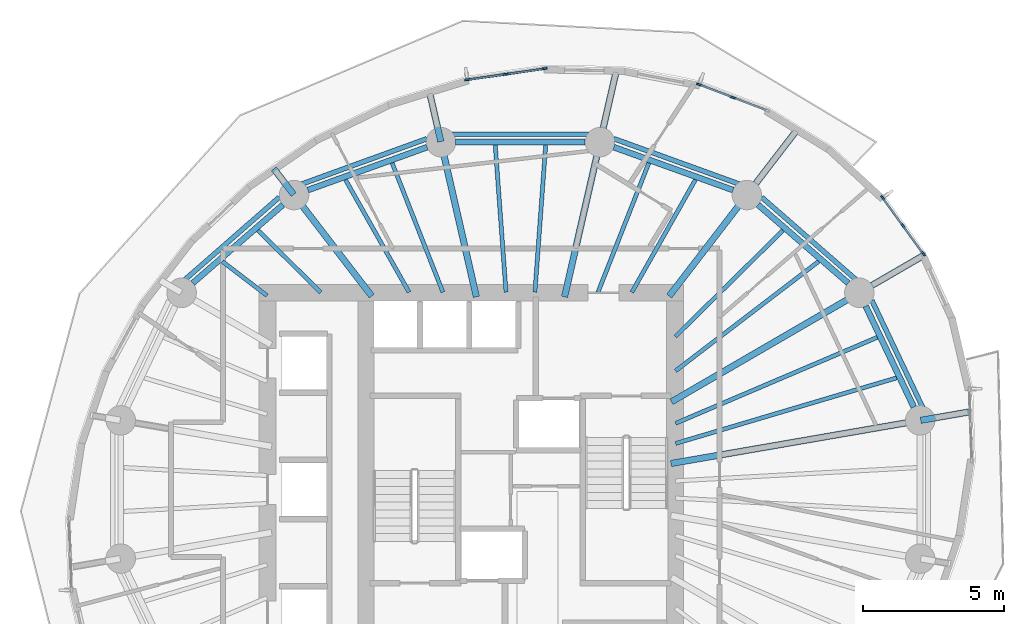
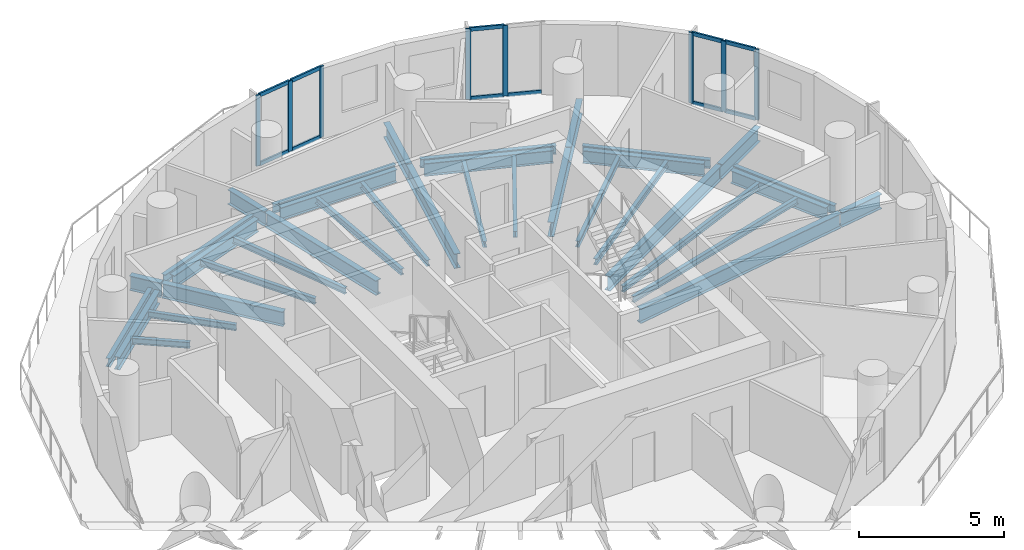
# One storey, part 3 of 14: 36 beams, 19 members, 3 elements without a shape of their own.
"""IFC4 building model written with IfcOpenShell, lengths in metres."""

from ifc_helpers import new_model, si_unit, direction, frame, origin, origin_2d, place, context, subcontext, project, spatial, rectangle, i_section, extrude, material, material_profile, profile_set, type_object, element, aggregate, save


model = new_model("IFC4")

# Units and contexts
model_context = context("Model", 3, precision=1e-05, world=origin(), true_north=direction((0.0, 1.0)))
body_context = subcontext(model_context, "Body", "Model", "MODEL_VIEW")
ifc_project = project(units=[si_unit("LENGTHUNIT", "METRE"), si_unit("AREAUNIT", "SQUARE_METRE"), si_unit("VOLUMEUNIT", "CUBIC_METRE"), si_unit("PLANEANGLEUNIT", "RADIAN"), si_unit("MASSUNIT", "GRAM", prefix="KILO")], contexts=[model_context])

# Site, building, storey
site_placement = place(None, origin())
site = spatial("IfcSite", under=ifc_project, at=site_placement, CompositionType="ELEMENT")
building_placement = place(site_placement, origin())
building = spatial("IfcBuilding", under=site, at=building_placement, Name="Veldorim Arch Residences", CompositionType="ELEMENT")
storey_placement = place(building_placement, frame((0.0, 0.0, 129.760009765625)))
storey = spatial("IfcBuildingStorey", under=building, at=storey_placement, Name="L38", CompositionType="ELEMENT", Elevation=129.760009765625)

# Beams
ifc_material_1 = material(Name="Steel S355", Category="steel")
ifc_material_profile_1 = material_profile(ifc_material_1, i_section(OverallWidth=0.2099609375, OverallDepth=0.53662109375, WebThickness=0.0107421875, FlangeThickness=0.017333984375, at=origin_2d()), Name="UB533x210x101")
ifc_profile_set_1 = profile_set([ifc_material_profile_1], Name="Steel S355")
beam_type_1 = type_object("IfcBeamType", Name="Structural Steel Beam UB533x210x101", PredefinedType="BEAM", material=ifc_profile_set_1)
beam_1_placement = place(storey_placement, frame((45.99560546875, 26.931884765625, -0.50830078125), z_axis=(-0.43028577851, 0.902692721147, 0.0), x_axis=(-0.902692721147, -0.43028577851, 0.0)))
element("IfcBeam", 1, at=beam_1_placement, inside=storey, type_object=beam_type_1, Name="L38 perimeter ring tie beam 01", PredefinedType="BEAM", context=body_context, shape_type="SweptSolid", body=[
    extrude(i_section(OverallWidth=0.2099609375, OverallDepth=0.53662109375, WebThickness=0.0107421875, FlangeThickness=0.017333984375, at=origin_2d()), origin(), (0.0, 0.0, 1.0), 3.98193359375),
])
beam_2_placement = place(storey_placement, frame((43.659912109375, 31.344482421875, -0.50830078125), z_axis=(-0.754810789581, 0.655942582802, 0.0), x_axis=(-0.655942582802, -0.754810789581, 0.0)))
element("IfcBeam", 2, at=beam_2_placement, inside=storey, type_object=beam_type_1, Name="L38 perimeter ring tie beam 02", PredefinedType="BEAM", context=body_context, shape_type="SweptSolid", body=[
    extrude(i_section(OverallWidth=0.2099609375, OverallDepth=0.53662109375, WebThickness=0.0107421875, FlangeThickness=0.017333984375, at=origin_2d()), origin(), (0.0, 0.0, 1.0), 4.249755859375),
])
beam_3_placement = place(storey_placement, frame((39.561767578125, 34.654296875, -0.50830078125), z_axis=(-0.940899155006, 0.338686846673, 0.0), x_axis=(-0.338686846673, -0.940899155006, 0.0)))
element("IfcBeam", 3, at=beam_3_placement, inside=storey, type_object=beam_type_1, Name="L38 perimeter ring tie beam 03", PredefinedType="BEAM", context=body_context, shape_type="SweptSolid", body=[
    extrude(i_section(OverallWidth=0.2099609375, OverallDepth=0.53662109375, WebThickness=0.0107421875, FlangeThickness=0.017333984375, at=origin_2d()), origin(), (0.0, 0.0, 1.0), 4.50537109375),
])
beam_4_placement = place(storey_placement, frame((34.3037109375, 36.35791015625, -0.50830078125), z_axis=(-1.0, 0.0, 0.0), x_axis=(0.0, -1.0, 0.0)))
element("IfcBeam", 4, at=beam_4_placement, inside=storey, type_object=beam_type_1, Name="L38 perimeter ring tie beam 04", PredefinedType="BEAM", context=body_context, shape_type="SweptSolid", body=[
    extrude(i_section(OverallWidth=0.2099609375, OverallDepth=0.53662109375, WebThickness=0.0107421875, FlangeThickness=0.017333984375, at=origin_2d()), origin(), (0.0, 0.0, 1.0), 4.607421875),
])
beam_5_placement = place(storey_placement, frame((28.67724609375, 36.18017578125, -0.50830078125), z_axis=(-0.940899155006, -0.338686846673, 0.0), x_axis=(0.338686846673, -0.940899155006, 0.0)))
element("IfcBeam", 5, at=beam_5_placement, inside=storey, type_object=beam_type_1, Name="L38 perimeter ring tie beam 05", PredefinedType="BEAM", context=body_context, shape_type="SweptSolid", body=[
    extrude(i_section(OverallWidth=0.2099609375, OverallDepth=0.53662109375, WebThickness=0.0107421875, FlangeThickness=0.017333984375, at=origin_2d()), origin(), (0.0, 0.0, 1.0), 4.50537109375),
])
beam_6_placement = place(storey_placement, frame((23.5478515625, 34.132080078125, -0.50830078125), z_axis=(-0.754810789581, -0.655942582802, 0.0), x_axis=(0.655942582802, -0.754810789581, 0.0)))
element("IfcBeam", 6, at=beam_6_placement, inside=storey, type_object=beam_type_1, Name="L38 perimeter ring tie beam 06", PredefinedType="BEAM", context=body_context, shape_type="SweptSolid", body=[
    extrude(i_section(OverallWidth=0.2099609375, OverallDepth=0.53662109375, WebThickness=0.0107421875, FlangeThickness=0.017333984375, at=origin_2d()), origin(), (0.0, 0.0, 1.0), 4.249755859375),
])
ifc_material_2 = material(Name="Steel S355", Category="steel")
ifc_material_profile_2 = material_profile(ifc_material_2, i_section(OverallWidth=0.22900390625, OverallDepth=0.6123046875, WebThickness=0.011962890625, FlangeThickness=0.01953125, at=origin_2d()), Name="UB610x229x125")
ifc_profile_set_2 = profile_set([ifc_material_profile_2], Name="Steel S355")
beam_type_2 = type_object("IfcBeamType", Name="Structural Steel Beam UB610x229x125", PredefinedType="BEAM", material=ifc_profile_set_2)
beam_7_placement = place(storey_placement, frame((37.352294921875, 24.925048828125, -0.546142578125), z_axis=(0.985389398766, 0.170316566427, 0.0), x_axis=(-0.170316566427, 0.985389398766, 0.0)))
element("IfcBeam", 7, at=beam_7_placement, inside=storey, type_object=beam_type_2, Name="L38 radial floor girder 01", PredefinedType="BEAM", context=body_context, shape_type="SweptSolid", body=[
    extrude(i_section(OverallWidth=0.22900390625, OverallDepth=0.6123046875, WebThickness=0.011962890625, FlangeThickness=0.01953125, at=origin_2d()), origin(), (0.0, 0.0, 1.0), 8.98046875),
])
beam_8_placement = place(storey_placement, frame((46.2412109375, 26.46142578125, -0.546142578125), z_axis=(0.985382949726, 0.170353874007, 0.0), x_axis=(-0.170353874007, 0.985382949726, 0.0)))
element("IfcBeam", 8, at=beam_8_placement, inside=storey, type_object=beam_type_2, Name="L38 radial edge cantilever girder 01", PredefinedType="BEAM", context=body_context, shape_type="SweptSolid", body=[
    extrude(i_section(OverallWidth=0.22900390625, OverallDepth=0.6123046875, WebThickness=0.011962890625, FlangeThickness=0.01953125, at=origin_2d()), origin(), (0.0, 0.0, 1.0), 1.774169921875),
])
beam_9_placement = place(storey_placement, frame((37.370361328125, 27.1181640625, -0.546142578125), z_axis=(0.864793381443, 0.502127879542, 0.0), x_axis=(-0.502127879542, 0.864793381443, 0.0)))
element("IfcBeam", 9, at=beam_9_placement, inside=storey, type_object=beam_type_2, Name="L38 radial floor girder 02", PredefinedType="BEAM", context=body_context, shape_type="SweptSolid", body=[
    extrude(i_section(OverallWidth=0.22900390625, OverallDepth=0.6123046875, WebThickness=0.011962890625, FlangeThickness=0.01953125, at=origin_2d()), origin(), (0.0, 0.0, 1.0), 7.71142578125),
])
beam_10_placement = place(storey_placement, frame((44.073486328125, 31.01025390625, -0.546142578125), z_axis=(0.86480840732, 0.502102000223, 0.0), x_axis=(-0.502102000223, 0.86480840732, 0.0)))
element("IfcBeam", 10, at=beam_10_placement, inside=storey, type_object=beam_type_2, Name="L38 radial edge cantilever girder 02", PredefinedType="BEAM", context=body_context, shape_type="SweptSolid", body=[
    extrude(i_section(OverallWidth=0.22900390625, OverallDepth=0.6123046875, WebThickness=0.011962890625, FlangeThickness=0.01953125, at=origin_2d()), origin(), (0.0, 0.0, 1.0), 2.635986328125),
])
beam_11_placement = place(storey_placement, frame((37.291259765625, 30.881103515625, -0.546142578125), z_axis=(0.609559199361, 0.792740551804, 0.0), x_axis=(-0.792740551804, 0.609559199361, 0.0)))
element("IfcBeam", 11, at=beam_11_placement, inside=storey, type_object=beam_type_2, Name="L38 radial floor girder 03", PredefinedType="BEAM", context=body_context, shape_type="SweptSolid", body=[
    extrude(i_section(OverallWidth=0.22900390625, OverallDepth=0.6123046875, WebThickness=0.011962890625, FlangeThickness=0.01953125, at=origin_2d()), origin(), (0.0, 0.0, 1.0), 4.515380859375),
])
beam_12_placement = place(storey_placement, frame((40.068115234375, 34.492431640625, -0.546142578125), z_axis=(0.609529534144, 0.792763361291, 0.0), x_axis=(-0.792763361291, 0.609529534144, 0.0)))
element("IfcBeam", 12, at=beam_12_placement, inside=storey, type_object=beam_type_2, Name="L38 radial edge cantilever girder 03", PredefinedType="BEAM", context=body_context, shape_type="SweptSolid", body=[
    extrude(i_section(OverallWidth=0.22900390625, OverallDepth=0.6123046875, WebThickness=0.011962890625, FlangeThickness=0.01953125, at=origin_2d()), origin(), (0.0, 0.0, 1.0), 2.929931640625),
])
beam_13_placement = place(storey_placement, frame((33.56884765625, 30.853759765625, -0.546142578125), z_axis=(0.223119342184, 0.974791136164, 0.0), x_axis=(-0.974791136164, 0.223119342184, 0.0)))
element("IfcBeam", 13, at=beam_13_placement, inside=storey, type_object=beam_type_2, Name="L38 radial floor girder 04", PredefinedType="BEAM", context=body_context, shape_type="SweptSolid", body=[
    extrude(i_section(OverallWidth=0.22900390625, OverallDepth=0.6123046875, WebThickness=0.011962890625, FlangeThickness=0.01953125, at=origin_2d()), origin(), (0.0, 0.0, 1.0), 5.62646484375),
])
beam_14_placement = place(storey_placement, frame((34.833251953125, 36.37744140625, -0.546142578125), z_axis=(0.223192924024, 0.974774291139, 0.0), x_axis=(-0.974774291139, 0.223192924024, 0.0)))
element("IfcBeam", 14, at=beam_14_placement, inside=storey, type_object=beam_type_2, Name="L38 radial edge cantilever girder 04", PredefinedType="BEAM", context=body_context, shape_type="SweptSolid", body=[
    extrude(i_section(OverallWidth=0.22900390625, OverallDepth=0.6123046875, WebThickness=0.011962890625, FlangeThickness=0.01953125, at=origin_2d()), origin(), (0.0, 0.0, 1.0), 2.611083984375),
])
beam_15_placement = place(storey_placement, frame((30.43115234375, 30.853759765625, -0.546142578125), z_axis=(-0.223119342184, 0.974791136164, 0.0), x_axis=(-0.974791136164, -0.223119342184, 0.0)))
element("IfcBeam", 15, at=beam_15_placement, inside=storey, type_object=beam_type_2, Name="L38 radial floor girder 05", PredefinedType="BEAM", context=body_context, shape_type="SweptSolid", body=[
    extrude(i_section(OverallWidth=0.22900390625, OverallDepth=0.6123046875, WebThickness=0.011962890625, FlangeThickness=0.01953125, at=origin_2d()), origin(), (0.0, 0.0, 1.0), 5.62646484375),
])
beam_16_placement = place(storey_placement, frame((29.166748046875, 36.37744140625, -0.546142578125), z_axis=(-0.223180402263, 0.974777158147, 0.0), x_axis=(-0.974777158147, -0.223180402263, 0.0)))
element("IfcBeam", 16, at=beam_16_placement, inside=storey, type_object=beam_type_2, Name="L38 radial edge cantilever girder 05", PredefinedType="BEAM", context=body_context, shape_type="SweptSolid", body=[
    extrude(i_section(OverallWidth=0.22900390625, OverallDepth=0.6123046875, WebThickness=0.011962890625, FlangeThickness=0.01953125, at=origin_2d()), origin(), (0.0, 0.0, 1.0), 1.826904296875),
])
beam_17_placement = place(storey_placement, frame((26.708740234375, 30.881103515625, -0.546142578125), z_axis=(-0.609559199361, 0.792740551804, 0.0), x_axis=(-0.792740551804, -0.609559199361, 0.0)))
element("IfcBeam", 17, at=beam_17_placement, inside=storey, type_object=beam_type_2, Name="L38 radial floor girder 06", PredefinedType="BEAM", context=body_context, shape_type="SweptSolid", body=[
    extrude(i_section(OverallWidth=0.22900390625, OverallDepth=0.6123046875, WebThickness=0.011962890625, FlangeThickness=0.01953125, at=origin_2d()), origin(), (0.0, 0.0, 1.0), 4.515380859375),
])
beam_18_placement = place(storey_placement, frame((23.931884765625, 34.492431640625, -0.546142578125), z_axis=(-0.609538125584, 0.792756755543, 0.0), x_axis=(-0.792756755543, -0.609538125584, 0.0)))
element("IfcBeam", 18, at=beam_18_placement, inside=storey, type_object=beam_type_2, Name="L38 radial edge cantilever girder 06", PredefinedType="BEAM", context=body_context, shape_type="SweptSolid", body=[
    extrude(i_section(OverallWidth=0.22900390625, OverallDepth=0.6123046875, WebThickness=0.011962890625, FlangeThickness=0.01953125, at=origin_2d()), origin(), (0.0, 0.0, 1.0), 1.161865234375),
])
ifc_material_3 = material(Name="Steel S355", Category="steel")
ifc_material_profile_3 = material_profile(ifc_material_3, i_section(OverallWidth=0.146484375, OverallDepth=0.256103515625, WebThickness=0.00634765625, FlangeThickness=0.010986328125, at=origin_2d()), Name="UB254x146x37")
ifc_profile_set_3 = profile_set([ifc_material_profile_3], Name="Steel S355")
beam_type_3 = type_object("IfcBeamType", Name="Structural Steel Joist UB254x146x37", PredefinedType="JOIST", material=ifc_profile_set_3)
beam_19_placement = place(storey_placement, frame((37.519287109375, 25.63818359375, -0.367919921875), z_axis=(0.958674276305, 0.284505943614, 0.0), x_axis=(-0.284505943614, 0.958674276305, 0.0)))
element("IfcBeam", 19, at=beam_19_placement, inside=storey, type_object=beam_type_3, Name="L38 secondary radial floor joist 01-1", PredefinedType="JOIST", context=body_context, shape_type="SweptSolid", body=[
    extrude(i_section(OverallWidth=0.146484375, OverallDepth=0.256103515625, WebThickness=0.00634765625, FlangeThickness=0.010986328125, at=origin_2d()), origin(), (0.0, 0.0, 1.0), 8.2001953125),
])
beam_20_placement = place(storey_placement, frame((37.518310546875, 26.353515625, -0.367919921875), z_axis=(0.919831795434, 0.39231297214, 0.0), x_axis=(-0.39231297214, 0.919831795434, 0.0)))
element("IfcBeam", 20, at=beam_20_placement, inside=storey, type_object=beam_type_3, Name="L38 secondary radial floor joist 01-2", PredefinedType="JOIST", context=body_context, shape_type="SweptSolid", body=[
    extrude(i_section(OverallWidth=0.146484375, OverallDepth=0.256103515625, WebThickness=0.00634765625, FlangeThickness=0.010986328125, at=origin_2d()), origin(), (0.0, 0.0, 1.0), 7.798828125),
])
beam_21_placement = place(storey_placement, frame((37.515869140625, 28.219482421875, -0.367919921875), z_axis=(0.794267053144, 0.607568801281, 0.0), x_axis=(-0.607568801281, 0.794267053144, 0.0)))
element("IfcBeam", 21, at=beam_21_placement, inside=storey, type_object=beam_type_3, Name="L38 secondary radial floor joist 02-1", PredefinedType="JOIST", context=body_context, shape_type="SweptSolid", body=[
    extrude(i_section(OverallWidth=0.146484375, OverallDepth=0.256103515625, WebThickness=0.00634765625, FlangeThickness=0.010986328125, at=origin_2d()), origin(), (0.0, 0.0, 1.0), 6.412841796875),
])
beam_22_placement = place(storey_placement, frame((37.51416015625, 29.443115234375, -0.367919921875), z_axis=(0.711703457158, 0.702480027523, 0.0), x_axis=(-0.702480027523, 0.711703457158, 0.0)))
element("IfcBeam", 22, at=beam_22_placement, inside=storey, type_object=beam_type_3, Name="L38 secondary radial floor joist 02-2", PredefinedType="JOIST", context=body_context, shape_type="SweptSolid", body=[
    extrude(i_section(OverallWidth=0.146484375, OverallDepth=0.256103515625, WebThickness=0.00634765625, FlangeThickness=0.010986328125, at=origin_2d()), origin(), (0.0, 0.0, 1.0), 5.373291015625),
])
beam_23_placement = place(storey_placement, frame((35.96337890625, 31.017333984375, -0.367919921875), z_axis=(0.491815801586, 0.870699269157, 0.0), x_axis=(-0.870699269157, 0.491815801586, 0.0)))
element("IfcBeam", 23, at=beam_23_placement, inside=storey, type_object=beam_type_3, Name="L38 secondary radial floor joist 03-1", PredefinedType="JOIST", context=body_context, shape_type="SweptSolid", body=[
    extrude(i_section(OverallWidth=0.146484375, OverallDepth=0.256103515625, WebThickness=0.00634765625, FlangeThickness=0.010986328125, at=origin_2d()), origin(), (0.0, 0.0, 1.0), 4.59814453125),
])
beam_24_placement = place(storey_placement, frame((34.7587890625, 31.0185546875, -0.367919921875), z_axis=(0.365777738491, 0.930702232739, 0.0), x_axis=(-0.930702232739, 0.365777738491, 0.0)))
element("IfcBeam", 24, at=beam_24_placement, inside=storey, type_object=beam_type_3, Name="L38 secondary radial floor joist 03-2", PredefinedType="JOIST", context=body_context, shape_type="SweptSolid", body=[
    extrude(i_section(OverallWidth=0.146484375, OverallDepth=0.256103515625, WebThickness=0.00634765625, FlangeThickness=0.010986328125, at=origin_2d()), origin(), (0.0, 0.0, 1.0), 4.9404296875),
])
for number, where, z_axis, x_axis, name in (
    (25, (32.51416015625, 31.02001953125, -0.367919921875), (0.073060364166, 0.997327520521, 0.0), (-0.997327520521, 0.073060364166, 0.0), "L38 secondary radial floor joist 04-1"),
    (26, (31.48583984375, 31.02001953125, -0.367919921875), (-0.073060364166, 0.997327520521, 0.0), (-0.997327520521, -0.073060364166, 0.0), "L38 secondary radial floor joist 04-2"),
):
    element("IfcBeam", number, at=place(storey_placement, frame(where, z_axis=z_axis, x_axis=x_axis)), inside=storey, type_object=beam_type_3, Name=name, PredefinedType="JOIST", context=body_context, shape_type="SweptSolid", body=[
        extrude(i_section(OverallWidth=0.146484375, OverallDepth=0.256103515625, WebThickness=0.00634765625, FlangeThickness=0.010986328125, at=origin_2d()), origin(), (0.0, 0.0, 1.0), 5.242919921875),
    ])
beam_25_placement = place(storey_placement, frame((29.2412109375, 31.0185546875, -0.367919921875), z_axis=(-0.365777738491, 0.930702232739, 0.0), x_axis=(-0.930702232739, -0.365777738491, 0.0)))
element("IfcBeam", 27, at=beam_25_placement, inside=storey, type_object=beam_type_3, Name="L38 secondary radial floor joist 05-1", PredefinedType="JOIST", context=body_context, shape_type="SweptSolid", body=[
    extrude(i_section(OverallWidth=0.146484375, OverallDepth=0.256103515625, WebThickness=0.00634765625, FlangeThickness=0.010986328125, at=origin_2d()), origin(), (0.0, 0.0, 1.0), 4.9404296875),
])
beam_26_placement = place(storey_placement, frame((28.03662109375, 31.017333984375, -0.367919921875), z_axis=(-0.491815801586, 0.870699269157, 0.0), x_axis=(-0.870699269157, -0.491815801586, 0.0)))
element("IfcBeam", 28, at=beam_26_placement, inside=storey, type_object=beam_type_3, Name="L38 secondary radial floor joist 05-2", PredefinedType="JOIST", context=body_context, shape_type="SweptSolid", body=[
    extrude(i_section(OverallWidth=0.146484375, OverallDepth=0.256103515625, WebThickness=0.00634765625, FlangeThickness=0.010986328125, at=origin_2d()), origin(), (0.0, 0.0, 1.0), 4.59814453125),
])
beam_27_placement = place(storey_placement, frame((24.894287109375, 31.013916015625, -0.367919921875), z_axis=(-0.711683379532, 0.702500368183, 0.0), x_axis=(-0.702500368183, -0.711683379532, 0.0)))
element("IfcBeam", 29, at=beam_27_placement, inside=storey, type_object=beam_type_3, Name="L38 secondary radial floor joist 06-1", PredefinedType="JOIST", context=body_context, shape_type="SweptSolid", body=[
    extrude(i_section(OverallWidth=0.146484375, OverallDepth=0.256103515625, WebThickness=0.00634765625, FlangeThickness=0.010986328125, at=origin_2d()), origin(), (0.0, 0.0, 1.0), 3.13720703125),
])
beam_28_placement = place(storey_placement, frame((22.984130859375, 30.89697265625, -0.367919921875), z_axis=(-0.794312925337, 0.607508828448, 0.0), x_axis=(-0.607508828448, -0.794312925337, 0.0)))
element("IfcBeam", 30, at=beam_28_placement, inside=storey, type_object=beam_type_3, Name="L38 secondary radial floor joist 06-2", PredefinedType="JOIST", context=body_context, shape_type="SweptSolid", body=[
    extrude(i_section(OverallWidth=0.146484375, OverallDepth=0.256103515625, WebThickness=0.00634765625, FlangeThickness=0.010986328125, at=origin_2d()), origin(), (0.0, 0.0, 1.0), 2.006103515625),
])
ifc_material_4 = material(Name="Steel S355", Category="steel")
ifc_material_profile_4 = material_profile(ifc_material_4, i_section(OverallWidth=0.172119140625, OverallDepth=0.35791015625, WebThickness=0.008056640625, FlangeThickness=0.012939453125, at=origin_2d()), Name="UB356x171x57")
ifc_profile_set_4 = profile_set([ifc_material_profile_4], Name="Steel S355")
beam_type_4 = type_object("IfcBeamType", Name="Structural Steel Spandrel UB356x171x57", PredefinedType="SPANDREL", material=ifc_profile_set_4)
beam_29_placement = place(storey_placement, frame((46.307861328125, 26.9248046875, -0.43896484375), z_axis=(-0.428579957662, 0.903503857153, 0.0), x_axis=(-0.903503857153, -0.428579957662, 0.0)))
element("IfcBeam", 31, at=beam_29_placement, inside=storey, type_object=beam_type_4, Name="L38 perimeter chord spandrel beam 01", PredefinedType="SPANDREL", context=body_context, shape_type="SweptSolid", body=[
    extrude(i_section(OverallWidth=0.172119140625, OverallDepth=0.35791015625, WebThickness=0.008056640625, FlangeThickness=0.012939453125, at=origin_2d()), origin(), (0.0, 0.0, 1.0), 4.209228515625),
])
beam_30_placement = place(storey_placement, frame((43.9580078125, 31.44921875, -0.43896484375), z_axis=(-0.753014748982, 0.658003638148, 0.0), x_axis=(-0.658003638148, -0.753014748982, 0.0)))
element("IfcBeam", 32, at=beam_30_placement, inside=storey, type_object=beam_type_4, Name="L38 perimeter chord spandrel beam 02", PredefinedType="SPANDREL", context=body_context, shape_type="SweptSolid", body=[
    extrude(i_section(OverallWidth=0.172119140625, OverallDepth=0.35791015625, WebThickness=0.008056640625, FlangeThickness=0.012939453125, at=origin_2d()), origin(), (0.0, 0.0, 1.0), 4.486572265625),
])
beam_31_placement = place(storey_placement, frame((39.79736328125, 34.86279296875, -0.43896484375), z_axis=(-0.940212553113, 0.340588248429, 0.0), x_axis=(-0.340588248429, -0.940212553113, 0.0)))
element("IfcBeam", 33, at=beam_31_placement, inside=storey, type_object=beam_type_4, Name="L38 perimeter chord spandrel beam 03", PredefinedType="SPANDREL", context=body_context, shape_type="SweptSolid", body=[
    extrude(i_section(OverallWidth=0.172119140625, OverallDepth=0.35791015625, WebThickness=0.008056640625, FlangeThickness=0.012939453125, at=origin_2d()), origin(), (0.0, 0.0, 1.0), 4.75390625),
])
beam_32_placement = place(storey_placement, frame((34.43115234375, 36.639404296875, -0.43896484375), z_axis=(-1.0, 0.0, 0.0), x_axis=(0.0, -1.0, 0.0)))
element("IfcBeam", 34, at=beam_32_placement, inside=storey, type_object=beam_type_4, Name="L38 perimeter chord spandrel beam 04", PredefinedType="SPANDREL", context=body_context, shape_type="SweptSolid", body=[
    extrude(i_section(OverallWidth=0.172119140625, OverallDepth=0.35791015625, WebThickness=0.008056640625, FlangeThickness=0.012939453125, at=origin_2d()), origin(), (0.0, 0.0, 1.0), 4.8623046875),
])
beam_33_placement = place(storey_placement, frame((28.67236328125, 36.48193359375, -0.43896484375), z_axis=(-0.940212553113, -0.340588248429, 0.0), x_axis=(0.340588248429, -0.940212553113, 0.0)))
element("IfcBeam", 35, at=beam_33_placement, inside=storey, type_object=beam_type_4, Name="L38 perimeter chord spandrel beam 05", PredefinedType="SPANDREL", context=body_context, shape_type="SweptSolid", body=[
    extrude(i_section(OverallWidth=0.172119140625, OverallDepth=0.35791015625, WebThickness=0.008056640625, FlangeThickness=0.012939453125, at=origin_2d()), origin(), (0.0, 0.0, 1.0), 4.75390625),
])
beam_34_placement = place(storey_placement, frame((23.42041015625, 34.4013671875, -0.43896484375), z_axis=(-0.753014748982, -0.658003638148, 0.0), x_axis=(0.658003638148, -0.753014748982, 0.0)))
element("IfcBeam", 36, at=beam_34_placement, inside=storey, type_object=beam_type_4, Name="L38 perimeter chord spandrel beam 06", PredefinedType="SPANDREL", context=body_context, shape_type="SweptSolid", body=[
    extrude(i_section(OverallWidth=0.172119140625, OverallDepth=0.35791015625, WebThickness=0.008056640625, FlangeThickness=0.012939453125, at=origin_2d()), origin(), (0.0, 0.0, 1.0), 4.486572265625),
])

# Curtain wall, members
ifc_material_5 = material(Name="Aluminium", Category="aluminium")
curtain_wall_type = type_object("IfcCurtainWallType", Name="Zone 3 High-Wind Unitised Curtain Wall", PredefinedType="NOTDEFINED", material=ifc_material_5)
curtain_wall_1_placement = place(storey_placement, origin())
curtain_wall_1 = element("IfcCurtainWall", 37, at=curtain_wall_1_placement, inside=storey, type_object=curtain_wall_type, Name="L38 unitised curtain wall bay 01", PredefinedType="NOTDEFINED")
ifc_material_6 = material(Name="Aluminium", Category="aluminium")
ifc_material_profile_5 = material_profile(ifc_material_6, rectangle(XDim=0.070068359375, YDim=0.179931640625, at=origin_2d()), Name="ALU_MUL_70x180")
ifc_profile_set_5 = profile_set([ifc_material_profile_5], Name="Aluminium")
member_type_1 = type_object("IfcMemberType", Name="Zone 3 High-Wind Unitised Curtain Wall Mullion 70x180", PredefinedType="MULLION", material=ifc_profile_set_5)
member_1_placement = place(storey_placement, frame((44.88623046875, 34.3798828125, 0.0), z_axis=(0.0, 0.0, 1.0), x_axis=(0.809162484713, 0.587584949886, 0.0)))
member_1 = element("IfcMember", 38, at=member_1_placement, type_object=member_type_1, Name="CW-Z3 mullion 1", PredefinedType="MULLION", context=body_context, shape_type="SweptSolid", body=[
    extrude(rectangle(XDim=0.070068359375, YDim=0.179931640625, at=origin_2d()), origin(), (0.0, 0.0, 1.0), 2.9599609375),
])
member_2_placement = place(storey_placement, frame((45.610107421875, 33.3828125, 0.0), z_axis=(0.0, 0.0, 1.0), x_axis=(0.809162484713, 0.587584949886, 0.0)))
member_2 = element("IfcMember", 39, at=member_2_placement, type_object=member_type_1, Name="CW-Z3 mullion 2", PredefinedType="MULLION", context=body_context, shape_type="SweptSolid", body=[
    extrude(rectangle(XDim=0.070068359375, YDim=0.179931640625, at=origin_2d()), origin(), (0.0, 0.0, 1.0), 2.9599609375),
])
member_3_placement = place(storey_placement, frame((46.334228515625, 32.385986328125, 0.0), z_axis=(0.0, 0.0, 1.0), x_axis=(0.809162484713, 0.587584949886, 0.0)))
member_3 = element("IfcMember", 40, at=member_3_placement, type_object=member_type_1, Name="CW-Z3 mullion 3", PredefinedType="MULLION", context=body_context, shape_type="SweptSolid", body=[
    extrude(rectangle(XDim=0.070068359375, YDim=0.179931640625, at=origin_2d()), origin(), (0.0, 0.0, 1.0), 2.9599609375),
])

curtain_wall_2_placement = place(storey_placement, origin())
curtain_wall_2 = element("IfcCurtainWall", 41, at=curtain_wall_2_placement, inside=storey, type_object=curtain_wall_type, Name="L38 unitised curtain wall bay 04", PredefinedType="NOTDEFINED")
member_4_placement = place(storey_placement, frame((38.352294921875, 38.409423828125, 0.0), z_axis=(0.0, 0.0, 1.0), x_axis=(0.356987085335, 0.934109319568, 0.0)))
member_4 = element("IfcMember", 42, at=member_4_placement, type_object=member_type_1, Name="CW-Z3 mullion 1", PredefinedType="MULLION", context=body_context, shape_type="SweptSolid", body=[
    extrude(rectangle(XDim=0.070068359375, YDim=0.179931640625, at=origin_2d()), origin(), (0.0, 0.0, 1.0), 2.9599609375),
])
member_5_placement = place(storey_placement, frame((39.56298828125, 37.94677734375, 0.0), z_axis=(0.0, 0.0, 1.0), x_axis=(0.356987085335, 0.934109319568, 0.0)))
member_5 = element("IfcMember", 43, at=member_5_placement, type_object=member_type_1, Name="CW-Z3 mullion 2", PredefinedType="MULLION", context=body_context, shape_type="SweptSolid", body=[
    extrude(rectangle(XDim=0.070068359375, YDim=0.179931640625, at=origin_2d()), origin(), (0.0, 0.0, 1.0), 2.9599609375),
])

curtain_wall_3_placement = place(storey_placement, origin())
curtain_wall_3 = element("IfcCurtainWall", 44, at=curtain_wall_3_placement, inside=storey, type_object=curtain_wall_type, Name="L38 unitised curtain wall bay 07", PredefinedType="NOTDEFINED")
member_6_placement = place(storey_placement, frame((30.1103515625, 38.580078125, 0.0), z_axis=(0.0, 0.0, 1.0), x_axis=(-0.142119625096, 0.989849489651, 0.0)))
member_6 = element("IfcMember", 45, at=member_6_placement, type_object=member_type_1, Name="CW-Z3 mullion 1", PredefinedType="MULLION", context=body_context, shape_type="SweptSolid", body=[
    extrude(rectangle(XDim=0.070068359375, YDim=0.179931640625, at=origin_2d()), origin(), (0.0, 0.0, 1.0), 2.9599609375),
])
member_7_placement = place(storey_placement, frame((31.484619140625, 38.77734375, 0.0), z_axis=(0.0, 0.0, 1.0), x_axis=(-0.142119625096, 0.989849489651, 0.0)))
member_7 = element("IfcMember", 46, at=member_7_placement, type_object=member_type_1, Name="CW-Z3 mullion 2", PredefinedType="MULLION", context=body_context, shape_type="SweptSolid", body=[
    extrude(rectangle(XDim=0.070068359375, YDim=0.179931640625, at=origin_2d()), origin(), (0.0, 0.0, 1.0), 2.9599609375),
])
member_8_placement = place(storey_placement, frame((32.859130859375, 38.974609375, 0.0), z_axis=(0.0, 0.0, 1.0), x_axis=(-0.142119625096, 0.989849489651, 0.0)))
member_8 = element("IfcMember", 47, at=member_8_placement, type_object=member_type_1, Name="CW-Z3 mullion 3", PredefinedType="MULLION", context=body_context, shape_type="SweptSolid", body=[
    extrude(rectangle(XDim=0.070068359375, YDim=0.179931640625, at=origin_2d()), origin(), (0.0, 0.0, 1.0), 2.9599609375),
])

# Member
ifc_material_7 = material(Name="Aluminium", Category="aluminium")
ifc_material_profile_6 = material_profile(ifc_material_7, rectangle(XDim=0.070068359375, YDim=0.155029296875, at=origin_2d()), Name="ALU_TRN_70x155")
ifc_profile_set_6 = profile_set([ifc_material_profile_6], Name="Aluminium")
member_type_2 = type_object("IfcMemberType", Name="Zone 3 High-Wind Unitised Curtain Wall Transom 70x155", PredefinedType="USERDEFINED", material=ifc_profile_set_6)
member_9_placement = place(storey_placement, frame((44.90673828125, 34.3515625, 0.034912109375), z_axis=(0.587559494022, -0.809180969243, 0.0), x_axis=(0.809180969243, 0.587559494022, 0.0)))
member_9 = element("IfcMember", 48, at=member_9_placement, type_object=member_type_2, Name="CW-Z3 transom 1.1", ObjectType="TRANSOM", PredefinedType="USERDEFINED", context=body_context, shape_type="SweptSolid", body=[
    extrude(rectangle(XDim=0.070068359375, YDim=0.155029296875, at=origin_2d()), origin(), (0.0, 0.0, 1.0), 1.162109375),
])

member_10_placement = place(storey_placement, frame((44.90673828125, 34.3515625, 2.925048828125), z_axis=(0.587559494022, -0.809180969243, 0.0), x_axis=(0.809180969243, 0.587559494022, 0.0)))
member_10 = element("IfcMember", 49, at=member_10_placement, type_object=member_type_2, Name="CW-Z3 transom 1.2", ObjectType="TRANSOM", PredefinedType="USERDEFINED", context=body_context, shape_type="SweptSolid", body=[
    extrude(rectangle(XDim=0.070068359375, YDim=0.155029296875, at=origin_2d()), origin(), (0.0, 0.0, 1.0), 1.162109375),
])

member_11_placement = place(storey_placement, frame((45.630859375, 33.3544921875, 0.034912109375), z_axis=(0.587521810484, -0.809208330534, 0.0), x_axis=(0.809208330534, 0.587521810484, 0.0)))
member_11 = element("IfcMember", 50, at=member_11_placement, type_object=member_type_2, Name="CW-Z3 transom 2.1", ObjectType="TRANSOM", PredefinedType="USERDEFINED", context=body_context, shape_type="SweptSolid", body=[
    extrude(rectangle(XDim=0.070068359375, YDim=0.155029296875, at=origin_2d()), origin(), (0.0, 0.0, 1.0), 1.161865234375),
])

member_12_placement = place(storey_placement, frame((45.630859375, 33.3544921875, 2.925048828125), z_axis=(0.587521810484, -0.809208330534, 0.0), x_axis=(0.809208330534, 0.587521810484, 0.0)))
member_12 = element("IfcMember", 51, at=member_12_placement, type_object=member_type_2, Name="CW-Z3 transom 2.2", ObjectType="TRANSOM", PredefinedType="USERDEFINED", context=body_context, shape_type="SweptSolid", body=[
    extrude(rectangle(XDim=0.070068359375, YDim=0.155029296875, at=origin_2d()), origin(), (0.0, 0.0, 1.0), 1.161865234375),
])

aggregate(curtain_wall_1, [member_1, member_2, member_3, member_9, member_10, member_11, member_12])

member_13_placement = place(storey_placement, frame((38.385009765625, 38.39697265625, 0.034912109375), z_axis=(0.934092855841, -0.357030162124, 0.0), x_axis=(0.357030162124, 0.934092855841, 0.0)))
member_13 = element("IfcMember", 52, at=member_13_placement, type_object=member_type_2, Name="CW-Z3 transom 1.1", ObjectType="TRANSOM", PredefinedType="USERDEFINED", context=body_context, shape_type="SweptSolid", body=[
    extrude(rectangle(XDim=0.070068359375, YDim=0.155029296875, at=origin_2d()), origin(), (0.0, 0.0, 1.0), 1.22607421875),
])

member_14_placement = place(storey_placement, frame((38.385009765625, 38.39697265625, 2.925048828125), z_axis=(0.934092855841, -0.357030162124, 0.0), x_axis=(0.357030162124, 0.934092855841, 0.0)))
member_14 = element("IfcMember", 53, at=member_14_placement, type_object=member_type_2, Name="CW-Z3 transom 1.2", ObjectType="TRANSOM", PredefinedType="USERDEFINED", context=body_context, shape_type="SweptSolid", body=[
    extrude(rectangle(XDim=0.070068359375, YDim=0.155029296875, at=origin_2d()), origin(), (0.0, 0.0, 1.0), 1.22607421875),
])

member_15_placement = place(storey_placement, frame((39.595703125, 37.934326171875, 0.034912109375), z_axis=(0.934067466256, -0.357096581449, 0.0), x_axis=(0.357096581449, 0.934067466256, 0.0)))
member_15 = element("IfcMember", 54, at=member_15_placement, type_object=member_type_2, Name="CW-Z3 transom 2.1", ObjectType="TRANSOM", PredefinedType="USERDEFINED", context=body_context, shape_type="SweptSolid", body=[
    extrude(rectangle(XDim=0.070068359375, YDim=0.155029296875, at=origin_2d()), origin(), (0.0, 0.0, 1.0), 1.225830078125),
])

aggregate(curtain_wall_2, [member_4, member_5, member_13, member_14, member_15])

member_16_placement = place(storey_placement, frame((30.14501953125, 38.5849609375, 0.034912109375), z_axis=(0.989834350319, 0.142225029195, 0.0), x_axis=(-0.142225029195, 0.989834350319, 0.0)))
member_16 = element("IfcMember", 55, at=member_16_placement, type_object=member_type_2, Name="CW-Z3 transom 1.1", ObjectType="TRANSOM", PredefinedType="USERDEFINED", context=body_context, shape_type="SweptSolid", body=[
    extrude(rectangle(XDim=0.070068359375, YDim=0.155029296875, at=origin_2d()), origin(), (0.0, 0.0, 1.0), 1.318359375),
])

member_17_placement = place(storey_placement, frame((30.14501953125, 38.5849609375, 2.925048828125), z_axis=(0.989834350319, 0.142225029195, 0.0), x_axis=(-0.142225029195, 0.989834350319, 0.0)))
member_17 = element("IfcMember", 56, at=member_17_placement, type_object=member_type_2, Name="CW-Z3 transom 1.2", ObjectType="TRANSOM", PredefinedType="USERDEFINED", context=body_context, shape_type="SweptSolid", body=[
    extrude(rectangle(XDim=0.070068359375, YDim=0.155029296875, at=origin_2d()), origin(), (0.0, 0.0, 1.0), 1.318359375),
])

member_18_placement = place(storey_placement, frame((31.519287109375, 38.782470703125, 0.034912109375), z_axis=(0.989864140626, 0.142017545054, 0.0), x_axis=(-0.142017545054, 0.989864140626, 0.0)))
member_18 = element("IfcMember", 57, at=member_18_placement, type_object=member_type_2, Name="CW-Z3 transom 2.1", ObjectType="TRANSOM", PredefinedType="USERDEFINED", context=body_context, shape_type="SweptSolid", body=[
    extrude(rectangle(XDim=0.070068359375, YDim=0.155029296875, at=origin_2d()), origin(), (0.0, 0.0, 1.0), 1.318603515625),
])

member_19_placement = place(storey_placement, frame((31.519287109375, 38.782470703125, 2.925048828125), z_axis=(0.989864140626, 0.142017545054, 0.0), x_axis=(-0.142017545054, 0.989864140626, 0.0)))
member_19 = element("IfcMember", 58, at=member_19_placement, type_object=member_type_2, Name="CW-Z3 transom 2.2", ObjectType="TRANSOM", PredefinedType="USERDEFINED", context=body_context, shape_type="SweptSolid", body=[
    extrude(rectangle(XDim=0.070068359375, YDim=0.155029296875, at=origin_2d()), origin(), (0.0, 0.0, 1.0), 1.318603515625),
])

aggregate(curtain_wall_3, [member_6, member_7, member_8, member_16, member_17, member_18, member_19])

save(model, "model.ifc")
